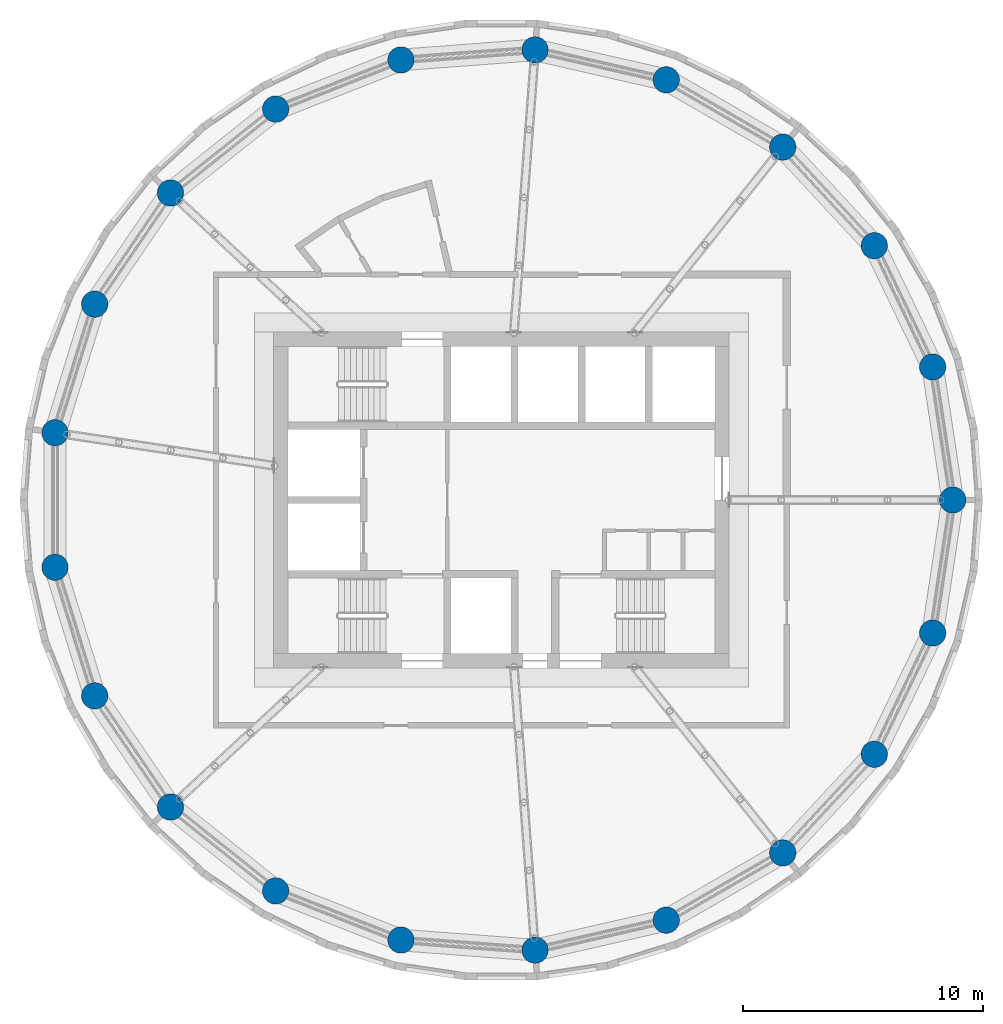
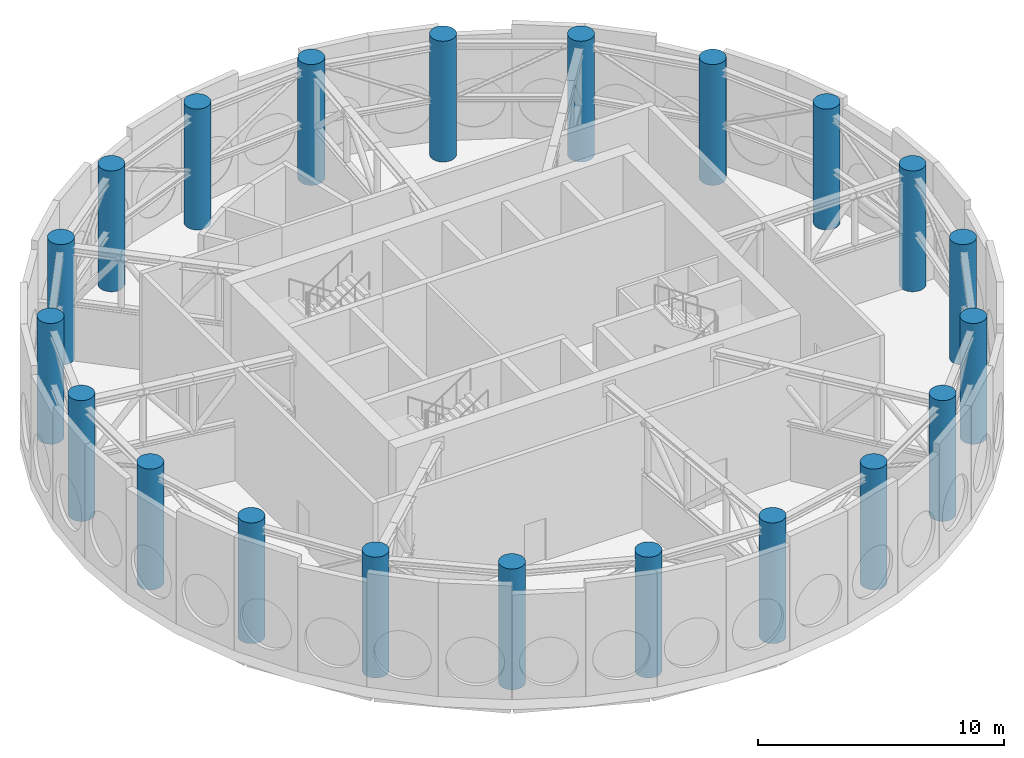
# One storey, part 1 of 13: 21 columns.
"""IFC4 building model written with IfcOpenShell, lengths in metres."""

from ifc_helpers import new_model, si_unit, direction, frame, origin, origin_2d, place, context, subcontext, project, spatial, circle, extrude, material, material_profile, profile_set, type_object, element, save


model = new_model("IFC4")

# Units and contexts
model_context = context("Model", 3, precision=1e-05, world=origin(), true_north=direction((0.0, 1.0)))
body_context = subcontext(model_context, "Body", "Model", "MODEL_VIEW")
ifc_project = project(units=[si_unit("LENGTHUNIT", "METRE"), si_unit("AREAUNIT", "SQUARE_METRE"), si_unit("VOLUMEUNIT", "CUBIC_METRE"), si_unit("PLANEANGLEUNIT", "RADIAN"), si_unit("MASSUNIT", "GRAM", prefix="KILO")], contexts=[model_context])

# Site, building, storey
site_placement = place(None, origin())
site = spatial("IfcSite", under=ifc_project, at=site_placement, CompositionType="ELEMENT")
building_placement = place(site_placement, origin())
building = spatial("IfcBuilding", under=site, at=building_placement, Name="Tracery Tower", CompositionType="ELEMENT")
storey_placement = place(building_placement, frame((0.0, 0.0, 277.800048828125)))
storey = spatial("IfcBuildingStorey", under=building, at=storey_placement, Name="L72 Plant", CompositionType="ELEMENT", Elevation=277.800048828125)

# Columns
ifc_material = material(Name="Concrete C40/50", Category="concrete")
ifc_material_profile = material_profile(ifc_material, circle(Radius=0.550048828125, at=origin_2d()), Name="RC D1100")
ifc_profile_set = profile_set([ifc_material_profile], Name="Concrete C40/50")
column_type = type_object("IfcColumnType", Name="Ring 2 column 1100", PredefinedType="COLUMN", material=ifc_profile_set)
for number, where, z_axis, x_axis, name in (
    (1, (18.822265625, 0.0, 0.0), (0.0, 0.0, 1.0), (1.0, 0.0, 0.0), "Ring 2 column 00 at L72 Plant"),
    (2, (17.986083984375, 5.5478515625, 0.0), (0.0, 0.0, 1.0), (1.0, 0.0, 0.0), "Ring 2 column 01 at L72 Plant"),
    (3, (15.551513671875, 10.602783203125, 0.0), (0.0, 0.0, 1.0), (1.0, 0.0, 0.0), "Ring 2 column 02 at L72 Plant"),
    (4, (11.7353515625, 14.7158203125, 0.0), (0.0, 0.0, 1.0), (1.0, 0.0, 0.0), "Ring 2 column 03 at L72 Plant"),
    (5, (6.87646484375, 17.52099609375, 0.0), (0.0, 0.0, 1.0), (1.0, 0.0, 0.0), "Ring 2 column 04 at L72 Plant"),
    (6, (1.406494140625, 18.76953125, 0.0), (0.0, 0.0, 1.0), (1.0, 0.0, 0.0), "Ring 2 column 05 at L72 Plant"),
    (7, (-4.188232421875, 18.350341796875, 0.0), (0.0, 0.0, 1.0), (1.0, 0.0, 0.0), "Ring 2 column 06 at L72 Plant"),
    (8, (-9.4111328125, 16.300537109375, 0.0), (0.0, 0.0, 1.0), (1.0, 0.0, 0.0), "Ring 2 column 07 at L72 Plant"),
    (9, (-13.797607421875, 12.802490234375, 0.0), (0.0, 0.0, 1.0), (1.0, 0.0, 0.0), "Ring 2 column 08 at L72 Plant"),
    (10, (-16.958251953125, 8.16650390625, 0.0), (0.0, 0.0, 1.0), (1.0, 0.0, 0.0), "Ring 2 column 09 at L72 Plant"),
    (11, (-18.612060546875, 2.805419921875, 0.0), (0.0, 0.0, 1.0), (1.0, 0.0, 0.0), "Ring 2 column 10 at L72 Plant"),
    (12, (-18.612060546875, -2.805419921875, 0.0), (0.0, 0.0, 1.0), (1.0, 0.0, 0.0), "Ring 2 column 11 at L72 Plant"),
    (13, (-16.958251953125, -8.166748046875, 0.0), (0.0, 0.0, 1.0), (1.0, 0.0, 0.0), "Ring 2 column 12 at L72 Plant"),
    (14, (-13.797607421875, -12.80224609375, 0.0), (0.0, 0.0, 1.0), (1.0, 0.0, 0.0), "Ring 2 column 13 at L72 Plant"),
    (15, (-9.4111328125, -16.300537109375, 0.0), (0.0, 0.0, 1.0), (1.0, 0.0, 0.0), "Ring 2 column 14 at L72 Plant"),
    (16, (-4.188232421875, -18.350341796875, 0.0), (0.0, 0.0, 1.0), (1.0, 0.0, 0.0), "Ring 2 column 15 at L72 Plant"),
    (17, (1.406494140625, -18.76953125, 0.0), (0.0, 0.0, 1.0), (1.0, 0.0, 0.0), "Ring 2 column 16 at L72 Plant"),
    (18, (6.87646484375, -17.52099609375, 0.0), (0.0, 0.0, 1.0), (1.0, 0.0, 0.0), "Ring 2 column 17 at L72 Plant"),
    (19, (11.7353515625, -14.7158203125, 0.0), (0.0, 0.0, 1.0), (1.0, 0.0, 0.0), "Ring 2 column 18 at L72 Plant"),
    (20, (15.551513671875, -10.602783203125, 0.0), (0.0, 0.0, 1.0), (1.0, 0.0, 0.0), "Ring 2 column 19 at L72 Plant"),
    (21, (17.986083984375, -5.5478515625, 0.0), (0.0, 0.0, 1.0), (1.0, 0.0, 0.0), "Ring 2 column 20 at L72 Plant"),
):
    element("IfcColumn", number, at=place(storey_placement, frame(where, z_axis=z_axis, x_axis=x_axis)), inside=storey, type_object=column_type, Name=name, PredefinedType="COLUMN", context=body_context, shape_type="SweptSolid", body=[
        extrude(circle(Radius=0.550048828125, at=origin_2d()), origin(), (0.0, 0.0, 1.0), 6.0),
    ])

save(model, "model.ifc")
